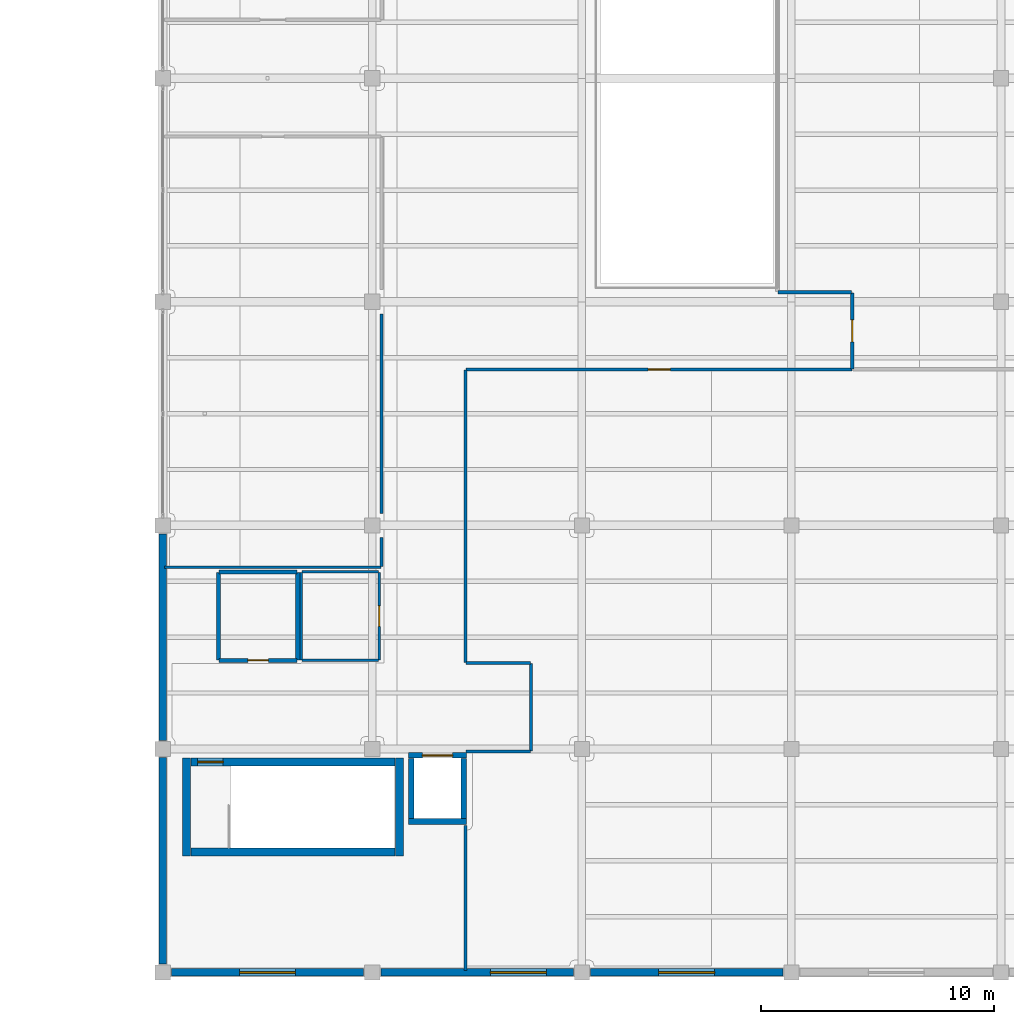
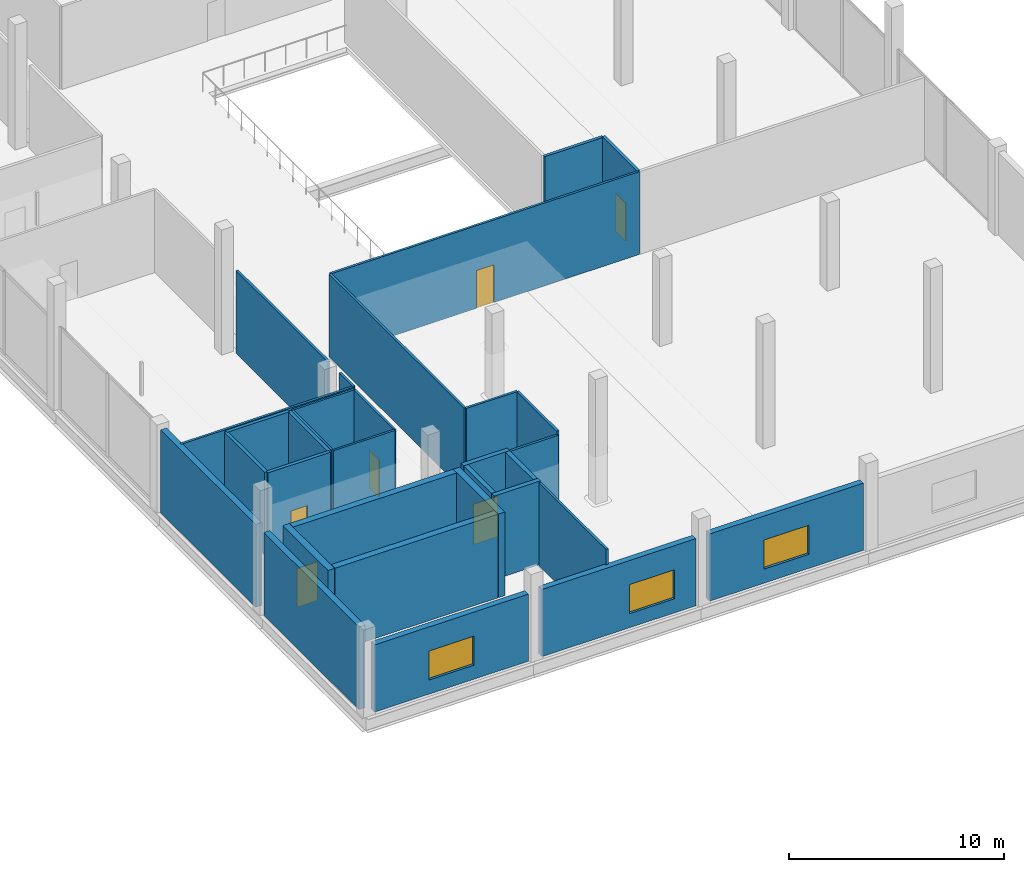
# One storey, part 31 of 43: 32 walls, 6 doors, 3 windows, 9 openings.
"""IFC4 building model written with IfcOpenShell, lengths in metres."""

from ifc_helpers import new_model, si_unit, direction, frame, frame_2d, origin, place, context, subcontext, project, spatial, rectangle, extrude, material, layer, layer_set, type_object, element, fill, save


model = new_model("IFC4")

# Units and contexts
model_context = context("Model", 3, precision=1e-05, world=origin(), true_north=direction((0.0, 1.0)))
body_context = subcontext(model_context, "Body", "Model", "MODEL_VIEW")
ifc_project = project(units=[si_unit("LENGTHUNIT", "METRE"), si_unit("AREAUNIT", "SQUARE_METRE"), si_unit("VOLUMEUNIT", "CUBIC_METRE"), si_unit("PLANEANGLEUNIT", "RADIAN"), si_unit("MASSUNIT", "GRAM", prefix="KILO")], contexts=[model_context])

# Site, building, storey
site_placement = place(None, origin())
site = spatial("IfcSite", under=ifc_project, at=site_placement, CompositionType="ELEMENT")
building_placement = place(site_placement, origin())
building = spatial("IfcBuilding", under=site, at=building_placement, Name="Qorvath Tower", CompositionType="ELEMENT")
storey_placement = place(building_placement, frame((0.0, 0.0, 22.0)))
storey = spatial("IfcBuildingStorey", under=building, at=storey_placement, Name="L04", CompositionType="ELEMENT", Elevation=22.0)

# Wall, opening, door
ifc_material_1 = material(Name="Gypsum shaftliner on steel studs", Category="steel")
ifc_layer_1 = layer(ifc_material_1, 0.179931640625)
ifc_layer_set_1 = layer_set([ifc_layer_1], Name="FW-LOBBY")
wall_type_1 = type_object("IfcWallType", Name="FW-LOBBY", PredefinedType="PARTITIONING", material=ifc_layer_set_1)
wall_1_placement = place(storey_placement, frame((34.824951171875, -25.0, 0.0), z_axis=(0.0, 0.0, 1.0), x_axis=(1.0, 0.0, 0.0)))
wall_1 = element("IfcWall", 1, at=wall_1_placement, inside=storey, type_object=wall_type_1, Name="Interior Partition IW-LB-L04-013", PredefinedType="PARTITIONING", context=body_context, shape_type="SweptSolid", body=[
    extrude(rectangle(XDim=3.35009765625, YDim=0.179931640625, at=frame_2d((1.675048828125, 0.0))), origin(), (0.0, 0.0, 1.0), 4.699951171875),
])
opening_1_placement = place(wall_1_placement, frame((1.235107421875, 0.0, 0.0)))
opening_1 = element("IfcOpeningElement", 2, at=opening_1_placement, cuts=wall_1, Name="Opening D-LB-L04-04", PredefinedType="OPENING", context=body_context, shape_type="SweptSolid", body=[
    extrude(rectangle(XDim=0.8798828125, YDim=2.10009765625, at=frame_2d((0.43994140625, 1.050048828125))), frame((0.0, 0.10009765625, 0.0), z_axis=(0.0, -1.0, 0.0), x_axis=(1.0, 0.0, 0.0)), (0.0, 0.0, 1.0), 0.199951171875),
])
ifc_material_2 = material(Name="Painted galvanised hollow metal", Category="steel")
door_type_1 = type_object("IfcDoorType", Name="FD-60N", OperationType="NOTDEFINED", PredefinedType="DOOR", material=ifc_material_2)
door_1_placement = place(opening_1_placement, origin())
door_1 = element("IfcDoor", 3, at=door_1_placement, inside=storey, type_object=door_type_1, Name="Cleaner Custodial Closet L04 Door D-LB-L04-04", OperationType="SINGLE_SWING_RIGHT", OverallHeight=2.10009765625, OverallWidth=0.8798828125, PredefinedType="DOOR", context=body_context, shape_type="SweptSolid", body=[
    extrude(rectangle(XDim=0.8798828125, YDim=2.10009765625, at=frame_2d((0.43994140625, 1.050048828125))), frame((0.0, 0.02490234375, 0.0), z_axis=(0.0, -1.0, 0.0), x_axis=(1.0, 0.0, 0.0)), (0.0, 0.0, 1.0), 0.050048828125),
])
fill(opening_1, door_1)

# Walls
wall_2_placement = place(storey_placement, frame((38.199951171875, -24.97509765625, 0.0), z_axis=(0.0, 0.0, 1.0), x_axis=(0.0, 1.0, 0.0)))
element("IfcWall", 4, at=wall_2_placement, inside=storey, type_object=wall_type_1, Name="Interior Partition IW-LB-L04-014", PredefinedType="PARTITIONING", context=body_context, shape_type="SweptSolid", body=[
    extrude(rectangle(XDim=3.75, YDim=0.179931640625, at=frame_2d((1.875, 0.0))), origin(), (0.0, 0.0, 1.0), 4.699951171875),
])
wall_3_placement = place(storey_placement, frame((38.175048828125, -21.199951171875, 0.0), z_axis=(0.0, 0.0, 1.0), x_axis=(-1.0, 0.0, 0.0)))
element("IfcWall", 5, at=wall_3_placement, inside=storey, type_object=wall_type_1, Name="Interior Partition IW-LB-L04-015", PredefinedType="PARTITIONING", context=body_context, shape_type="SweptSolid", body=[
    extrude(rectangle(XDim=3.35009765625, YDim=0.179931640625, at=frame_2d((1.675048828125, 0.0))), origin(), (0.0, 0.0, 1.0), 4.699951171875),
])
wall_4_placement = place(storey_placement, frame((34.800048828125, -21.22509765625, 0.0), z_axis=(0.0, 0.0, 1.0), x_axis=(0.0, -1.0, 0.0)))
element("IfcWall", 6, at=wall_4_placement, inside=storey, type_object=wall_type_1, Name="Interior Partition IW-LB-L04-016", PredefinedType="PARTITIONING", context=body_context, shape_type="SweptSolid", body=[
    extrude(rectangle(XDim=3.75, YDim=0.179931640625, at=frame_2d((1.875, 0.0))), origin(), (0.0, 0.0, 1.0), 4.699951171875),
])

# Wall, opening, door
ifc_material_3 = material(Name="Double acoustic gypsum board on steel studs", Category="steel")
ifc_layer_2 = layer(ifc_material_3, 0.159912109375)
ifc_layer_set_2 = layer_set([ifc_layer_2], Name="IW-ACOUSTIC-160")
wall_type_2 = type_object("IfcWallType", Name="IW-ACOUSTIC-160", PredefinedType="PARTITIONING", material=ifc_layer_set_2)
wall_5_placement = place(storey_placement, frame((62.008056640625, -9.216796875, 0.0), z_axis=(0.0, 0.0, 1.0), x_axis=(0.0, -1.0, 0.0)))
wall_5 = element("IfcWall", 7, at=wall_5_placement, inside=storey, type_object=wall_type_2, Name="Interior Partition IW-LB-L04-017", PredefinedType="PARTITIONING", context=body_context, shape_type="SweptSolid", body=[
    extrude(rectangle(XDim=3.25830078125, YDim=0.159912109375, at=frame_2d((1.629150390625, 0.0))), origin(), (0.0, 0.0, 1.0), 4.699951171875),
])
opening_2_placement = place(wall_5_placement, frame((1.154052734375, 0.0, 0.0)))
opening_2 = element("IfcOpeningElement", 8, at=opening_2_placement, cuts=wall_5, Name="Opening D-LB-L04-05", PredefinedType="OPENING", context=body_context, shape_type="SweptSolid", body=[
    extrude(rectangle(XDim=0.949951171875, YDim=2.14990234375, at=frame_2d((0.47509765625, 1.074951171875))), frame((0.0, 0.08984375, 0.0), z_axis=(0.0, -1.0, 0.0), x_axis=(1.0, 0.0, 0.0)), (0.0, 0.0, 1.0), 0.179931640625),
])
ifc_material_4 = material(Name="Solid-core American white oak veneer", Category="wood")
door_type_2 = type_object("IfcDoorType", Name="D-01", OperationType="NOTDEFINED", PredefinedType="DOOR", material=ifc_material_4)
door_2_placement = place(opening_2_placement, origin())
door_2 = element("IfcDoor", 9, at=door_2_placement, inside=storey, type_object=door_type_2, Name="L-L04-GRH-E Main Civic Reading Hall Door D-LB-L04-05", OperationType="SINGLE_SWING_LEFT", OverallHeight=2.14990234375, OverallWidth=0.949951171875, PredefinedType="DOOR", context=body_context, shape_type="SweptSolid", body=[
    extrude(rectangle(XDim=0.949951171875, YDim=2.14990234375, at=frame_2d((0.47509765625, 1.074951171875))), frame((0.0, 0.02490234375, 0.0), z_axis=(0.0, -1.0, 0.0), x_axis=(1.0, 0.0, 0.0)), (0.0, 0.0, 1.0), 0.050048828125),
])
fill(opening_2, door_2)

# Wall
wall_6_placement = place(storey_placement, frame((58.824951171875, -9.19189453125, 0.0), z_axis=(0.0, 0.0, 1.0), x_axis=(1.0, 0.0, 0.0)))
element("IfcWall", 10, at=wall_6_placement, inside=storey, type_object=wall_type_2, Name="Interior Partition IW-LB-L04-023", PredefinedType="PARTITIONING", context=body_context, shape_type="SweptSolid", body=[
    extrude(rectangle(XDim=3.158203125, YDim=0.159912109375, at=frame_2d((1.5791015625, 0.0))), origin(), (0.0, 0.0, 1.0), 4.66357421875),
])

# Wall, opening, door
ifc_material_5 = material(Name="Gypsum board on metal studs with mineral wool", Category="gypsum")
ifc_layer_3 = layer(ifc_material_5, 0.125)
ifc_layer_set_3 = layer_set([ifc_layer_3], Name="IW-PART-125")
wall_type_3 = type_object("IfcWallType", Name="IW-PART-125", PredefinedType="PARTITIONING", material=ifc_layer_set_3)
wall_7_placement = place(storey_placement, frame((62.00830078125, -12.508056640625, 0.0), z_axis=(0.0, 0.0, 1.0), x_axis=(-1.0, 0.0, 0.0)))
wall_7 = element("IfcWall", 11, at=wall_7_placement, inside=storey, type_object=wall_type_3, Name="Interior Partition IW-LB-L04-030", PredefinedType="PARTITIONING", context=body_context, shape_type="SweptSolid", body=[
    extrude(rectangle(XDim=16.5751953125, YDim=0.125, at=frame_2d((8.28759765625, 0.0))), origin(), (0.0, 0.0, 1.0), 4.699951171875),
])
opening_3_placement = place(wall_7_placement, frame((7.8125, 0.0, 0.0)))
opening_3 = element("IfcOpeningElement", 12, at=opening_3_placement, cuts=wall_7, Name="Opening D-LB-L04-07", PredefinedType="OPENING", context=body_context, shape_type="SweptSolid", body=[
    extrude(rectangle(XDim=0.949951171875, YDim=2.14990234375, at=frame_2d((0.47509765625, 1.074951171875))), frame((0.0, 0.072509765625, 0.0), z_axis=(0.0, -1.0, 0.0), x_axis=(1.0, 0.0, 0.0)), (0.0, 0.0, 1.0), 0.14501953125),
])
door_3_placement = place(opening_3_placement, origin())
door_3 = element("IfcDoor", 13, at=door_3_placement, inside=storey, type_object=door_type_2, Name="L-L04-GRH-S South Special Collections Reading Room Door D-LB-L04-07", OperationType="SINGLE_SWING_LEFT", OverallHeight=2.14990234375, OverallWidth=0.949951171875, PredefinedType="DOOR", context=body_context, shape_type="SweptSolid", body=[
    extrude(rectangle(XDim=0.949951171875, YDim=2.14990234375, at=frame_2d((0.47509765625, 1.074951171875))), frame((0.0, 0.02490234375, 0.0), z_axis=(0.0, -1.0, 0.0), x_axis=(1.0, 0.0, 0.0)), (0.0, 0.0, 1.0), 0.050048828125),
])
fill(opening_3, door_3)

# Walls
wall_8_placement = place(storey_placement, frame((45.407958984375, -12.533203125, 0.0), z_axis=(0.0, 0.0, 1.0), x_axis=(0.0, -1.0, 0.0)))
element("IfcWall", 14, at=wall_8_placement, inside=storey, type_object=wall_type_3, Name="Interior Partition IW-LB-L04-031", PredefinedType="PARTITIONING", context=body_context, shape_type="SweptSolid", body=[
    extrude(rectangle(XDim=12.553955078125, YDim=0.125, at=frame_2d((6.27685546875, 0.0))), origin(), (0.0, 0.0, 1.0), 4.699951171875),
])
wall_9_placement = place(storey_placement, frame((48.18310546875, -25.112060546875, 0.0), z_axis=(0.0, 0.0, 1.0), x_axis=(-1.0, 0.0, 0.0)))
element("IfcWall", 15, at=wall_9_placement, inside=storey, type_object=wall_type_3, Name="Interior Partition IW-LB-L04-032", PredefinedType="PARTITIONING", context=body_context, shape_type="SweptSolid", body=[
    extrude(rectangle(XDim=2.75, YDim=0.125, at=frame_2d((1.375, 0.0))), origin(), (0.0, 0.0, 1.0), 4.699951171875),
])
wall_10_placement = place(storey_placement, frame((48.2080078125, -25.13720703125, 0.0), z_axis=(0.0, 0.0, 1.0), x_axis=(0.0, -1.0, 0.0)))
element("IfcWall", 16, at=wall_10_placement, inside=storey, type_object=wall_type_3, Name="Interior Partition IW-LB-L04-033", PredefinedType="PARTITIONING", context=body_context, shape_type="SweptSolid", body=[
    extrude(rectangle(XDim=3.745849609375, YDim=0.125, at=frame_2d((1.873046875, 0.0))), origin(), (0.0, 0.0, 1.0), 4.699951171875),
])
wall_11_placement = place(storey_placement, frame((45.4248046875, -28.907958984375, 0.0), z_axis=(0.0, 0.0, 1.0), x_axis=(1.0, 0.0, 0.0)))
element("IfcWall", 17, at=wall_11_placement, inside=storey, type_object=wall_type_3, Name="Interior Partition IW-LB-L04-034", PredefinedType="PARTITIONING", context=body_context, shape_type="SweptSolid", body=[
    extrude(rectangle(XDim=2.75830078125, YDim=0.125, at=frame_2d((1.379150390625, 0.0))), origin(), (0.0, 0.0, 1.0), 4.512939453125),
])
wall_12_placement = place(storey_placement, frame((45.39990234375, -32.0849609375, 0.0), z_axis=(0.0, 0.0, 1.0), x_axis=(0.0, -1.0, 0.0)))
element("IfcWall", 18, at=wall_12_placement, inside=storey, type_object=wall_type_3, Name="Interior Partition IW-LB-L04-035", PredefinedType="PARTITIONING", context=body_context, shape_type="SweptSolid", body=[
    extrude(rectangle(XDim=6.235107421875, YDim=0.125, at=frame_2d((3.11767578125, 0.0))), origin(), (0.0, 0.0, 1.0), 4.699951171875),
])
wall_13_placement = place(storey_placement, frame((32.47998046875, -21.0, 0.0), z_axis=(0.0, 0.0, 1.0), x_axis=(1.0, 0.0, 0.0)))
element("IfcWall", 19, at=wall_13_placement, inside=storey, type_object=wall_type_3, Name="Interior Partition IW-LB-L04-041", PredefinedType="PARTITIONING", context=body_context, shape_type="SweptSolid", body=[
    extrude(rectangle(XDim=9.294921875, YDim=0.125, at=frame_2d((4.6474609375, 0.0))), origin(), (0.0, 0.0, 1.0), 4.699951171875),
])
wall_14_placement = place(storey_placement, frame((41.800048828125, -20.97509765625, 0.0), z_axis=(0.0, 0.0, 1.0), x_axis=(0.0, 1.0, 0.0)))
element("IfcWall", 20, at=wall_14_placement, inside=storey, type_object=wall_type_3, Name="Interior Partition IW-LB-L04-042", PredefinedType="PARTITIONING", context=body_context, shape_type="SweptSolid", body=[
    extrude(rectangle(XDim=1.25634765625, YDim=0.125, at=frame_2d((0.628173828125, 0.0))), origin(), (0.0, 0.0, 1.0), 4.699951171875),
])
wall_15_placement = place(storey_placement, frame((41.800048828125, -18.68115234375, 0.0), z_axis=(0.0, 0.0, 1.0), x_axis=(0.0, 1.0, 0.0)))
element("IfcWall", 21, at=wall_15_placement, inside=storey, type_object=wall_type_3, Name="Interior Partition IW-LB-L04-043", PredefinedType="PARTITIONING", context=body_context, shape_type="SweptSolid", body=[
    extrude(rectangle(XDim=8.562255859375, YDim=0.125, at=frame_2d((4.28125, 0.0))), origin(), (0.0, 0.0, 1.0), 4.699951171875),
])
ifc_material_6 = material(Name="Moisture-resistant cement board on metal studs", Category="gypsum")
ifc_layer_4 = layer(ifc_material_6, 0.110107421875)
ifc_layer_set_4 = layer_set([ifc_layer_4], Name="IW-WC-110")
wall_type_4 = type_object("IfcWallType", Name="IW-WC-110", PredefinedType="PARTITIONING", material=ifc_layer_set_4)
wall_16_placement = place(storey_placement, frame((38.375, -25.0, 0.0), z_axis=(0.0, 0.0, 1.0), x_axis=(1.0, 0.0, 0.0)))
element("IfcWall", 22, at=wall_16_placement, inside=storey, type_object=wall_type_4, Name="Interior Partition IW-LB-L04-009", PredefinedType="PARTITIONING", context=body_context, shape_type="SweptSolid", body=[
    extrude(rectangle(XDim=3.300048828125, YDim=0.110107421875, at=frame_2d((1.64990234375, 0.0))), origin(), (0.0, 0.0, 1.0), 4.699951171875),
])

# Wall, opening, door
wall_17_placement = place(storey_placement, frame((41.699951171875, -24.97509765625, 0.0), z_axis=(0.0, 0.0, 1.0), x_axis=(0.0, 1.0, 0.0)))
wall_17 = element("IfcWall", 23, at=wall_17_placement, inside=storey, type_object=wall_type_4, Name="Interior Partition IW-LB-L04-010", PredefinedType="PARTITIONING", context=body_context, shape_type="SweptSolid", body=[
    extrude(rectangle(XDim=3.75, YDim=0.110107421875, at=frame_2d((1.875, 0.0))), origin(), (0.0, 0.0, 1.0), 4.699951171875),
])
opening_4_placement = place(wall_17_placement, frame((1.43505859375, 0.0, 0.0)))
opening_4 = element("IfcOpeningElement", 24, at=opening_4_placement, cuts=wall_17, Name="Opening D-LB-L04-03", PredefinedType="OPENING", context=body_context, shape_type="SweptSolid", body=[
    extrude(rectangle(XDim=0.8798828125, YDim=2.10009765625, at=frame_2d((0.43994140625, 1.050048828125))), frame((0.0, 0.06494140625, 0.0), z_axis=(0.0, -1.0, 0.0), x_axis=(1.0, 0.0, 0.0)), (0.0, 0.0, 1.0), 0.130126953125),
])
ifc_material_7 = material(Name="Solid-core oak with acoustic drop seal", Category="wood")
door_type_3 = type_object("IfcDoorType", Name="D-02", OperationType="NOTDEFINED", PredefinedType="DOOR", material=ifc_material_7)
door_4_placement = place(opening_4_placement, origin())
door_4 = element("IfcDoor", 25, at=door_4_placement, inside=storey, type_object=door_type_3, Name="Accessible WC East Wing L04 Door D-LB-L04-03", OperationType="SINGLE_SWING_LEFT", OverallHeight=2.10009765625, OverallWidth=0.8798828125, PredefinedType="DOOR", context=body_context, shape_type="SweptSolid", body=[
    extrude(rectangle(XDim=0.8798828125, YDim=2.10009765625, at=frame_2d((0.43994140625, 1.050048828125))), frame((0.0, 0.02490234375, 0.0), z_axis=(0.0, -1.0, 0.0), x_axis=(1.0, 0.0, 0.0)), (0.0, 0.0, 1.0), 0.050048828125),
])
fill(opening_4, door_4)

# Walls
wall_18_placement = place(storey_placement, frame((41.675048828125, -21.199951171875, 0.0), z_axis=(0.0, 0.0, 1.0), x_axis=(-1.0, 0.0, 0.0)))
element("IfcWall", 26, at=wall_18_placement, inside=storey, type_object=wall_type_4, Name="Interior Partition IW-LB-L04-011", PredefinedType="PARTITIONING", context=body_context, shape_type="SweptSolid", body=[
    extrude(rectangle(XDim=3.300048828125, YDim=0.110107421875, at=frame_2d((1.64990234375, 0.0))), origin(), (0.0, 0.0, 1.0), 4.699951171875),
])
wall_19_placement = place(storey_placement, frame((38.35009765625, -21.22509765625, 0.0), z_axis=(0.0, 0.0, 1.0), x_axis=(0.0, -1.0, 0.0)))
element("IfcWall", 27, at=wall_19_placement, inside=storey, type_object=wall_type_4, Name="Interior Partition IW-LB-L04-012", PredefinedType="PARTITIONING", context=body_context, shape_type="SweptSolid", body=[
    extrude(rectangle(XDim=3.75, YDim=0.110107421875, at=frame_2d((1.875, 0.0))), origin(), (0.0, 0.0, 1.0), 4.699951171875),
])
ifc_material_8 = material(Name="Concrete C60/75", Category="concrete")
ifc_layer_5 = layer(ifc_material_8, 0.260009765625)
ifc_layer_set_5 = layer_set([ifc_layer_5], Name="SW-SHAFT")
wall_type_5 = type_object("IfcWallType", Name="SW-SHAFT", PredefinedType="SHEAR", material=ifc_layer_set_5)
wall_20_placement = place(storey_placement, frame((45.43994140625, -31.919921875, 0.0), z_axis=(0.0, 0.0, 1.0), x_axis=(-1.0, 0.0, 0.0)))
element("IfcWall", 28, at=wall_20_placement, inside=storey, type_object=wall_type_5, Name="Hoistway Wall LGL-1 L04 S", PredefinedType="SHEAR", context=body_context, shape_type="SweptSolid", body=[
    extrude(rectangle(XDim=2.47998046875, YDim=0.239990234375, at=frame_2d((1.239990234375, 0.0))), origin(), (0.0, 0.0, 1.0), 4.75),
])

# Wall, opening, door
wall_21_placement = place(storey_placement, frame((42.9599609375, -29.080078125, 0.0), z_axis=(0.0, 0.0, 1.0), x_axis=(1.0, 0.0, 0.0)))
wall_21 = element("IfcWall", 29, at=wall_21_placement, inside=storey, type_object=wall_type_5, Name="Hoistway Wall LGL-1 L04 N", PredefinedType="SHEAR", context=body_context, shape_type="SweptSolid", body=[
    extrude(rectangle(XDim=2.47998046875, YDim=0.239990234375, at=frame_2d((1.239990234375, 0.0))), origin(), (0.0, 0.0, 1.0), 4.75),
])
opening_5_placement = place(wall_21_placement, frame((0.590087890625, 0.0, 0.0)))
opening_5 = element("IfcOpeningElement", 30, at=opening_5_placement, cuts=wall_21, Name="Opening LD-LGL-1-L04", PredefinedType="OPENING", context=body_context, shape_type="SweptSolid", body=[
    extrude(rectangle(XDim=1.300048828125, YDim=2.300048828125, at=frame_2d((0.64990234375, 1.14990234375))), frame((0.0, 0.1298828125, 0.0), z_axis=(0.0, -1.0, 0.0), x_axis=(1.0, 0.0, 0.0)), (0.0, 0.0, 1.0), 0.260009765625),
])
ifc_material_9 = material(Name="Brushed stainless steel AISI 316", Category="steel")
door_type_4 = type_object("IfcDoorType", Name="LD-02", OperationType="NOTDEFINED", PredefinedType="DOOR", material=ifc_material_9)
door_5_placement = place(opening_5_placement, origin())
door_5 = element("IfcDoor", 31, at=door_5_placement, inside=storey, type_object=door_type_4, Name="Elevator Landing Sliding Door LD-LGL-1-L04", OperationType="DOUBLE_DOOR_SLIDING", OverallHeight=2.300048828125, OverallWidth=1.300048828125, PredefinedType="DOOR", context=body_context, shape_type="SweptSolid", body=[
    extrude(rectangle(XDim=1.300048828125, YDim=2.300048828125, at=frame_2d((0.64990234375, 1.14990234375))), frame((0.0, 0.02490234375, 0.0), z_axis=(0.0, -1.0, 0.0), x_axis=(1.0, 0.0, 0.0)), (0.0, 0.0, 1.0), 0.050048828125),
])
fill(opening_5, door_5)

# Walls
for number, where, z_axis, x_axis, name in (
    (32, (43.080078125, -31.7880859375, 0.0), (0.0, 0.0, 1.0), (0.0, 1.0, 0.0), "Hoistway Wall LGL-1 L04 W"),
    (33, (45.320068359375, -29.2119140625, 0.0), (0.0, 0.0, 1.0), (0.0, -1.0, 0.0), "Hoistway Wall LGL-1 L04 E"),
):
    element("IfcWall", number, at=place(storey_placement, frame(where, z_axis=z_axis, x_axis=x_axis)), inside=storey, type_object=wall_type_5, Name=name, PredefinedType="SHEAR", context=body_context, shape_type="SweptSolid", body=[
        extrude(rectangle(XDim=2.576171875, YDim=0.239990234375, at=frame_2d((1.2880859375, 0.0))), origin(), (0.0, 0.0, 1.0), 4.75),
    ])
ifc_material_10 = material(Name="Concrete C60/75", Category="concrete")
ifc_layer_6 = layer(ifc_material_10, 0.35009765625)
ifc_layer_set_6 = layer_set([ifc_layer_6], Name="SW-STAIR")
wall_type_6 = type_object("IfcWallType", Name="SW-STAIR", PredefinedType="SHEAR", material=ifc_layer_set_6)
for number, where, z_axis, x_axis, name in (
    (34, (33.425048828125, -29.18994140625, 0.0), (0.0, 0.0, 1.0), (0.0, -1.0, 0.0), "Stair LS2 Shear Wall L04 NEAR"),
    (35, (42.574951171875, -33.39990234375, 0.0), (0.0, 0.0, 1.0), (0.0, 1.0, 0.0), "Stair LS2 Shear Wall L04 FAR"),
):
    element("IfcWall", number, at=place(storey_placement, frame(where, z_axis=z_axis, x_axis=x_axis)), inside=storey, type_object=wall_type_6, Name=name, PredefinedType="SHEAR", context=body_context, shape_type="SweptSolid", body=[
        extrude(rectangle(XDim=4.2099609375, YDim=0.35009765625, at=frame_2d((2.10498046875, 0.0))), origin(), (0.0, 0.0, 1.0), 4.75),
    ])
wall_22_placement = place(storey_placement, frame((33.614990234375, -33.22509765625, 0.0), z_axis=(0.0, 0.0, 1.0), x_axis=(1.0, 0.0, 0.0)))
element("IfcWall", 36, at=wall_22_placement, inside=storey, type_object=wall_type_6, Name="Stair LS2 Shear Wall L04 LEFT", PredefinedType="SHEAR", context=body_context, shape_type="SweptSolid", body=[
    extrude(rectangle(XDim=8.77001953125, YDim=0.35009765625, at=frame_2d((4.385009765625, 0.0))), origin(), (0.0, 0.0, 1.0), 4.75),
])

# Wall, opening, door
wall_23_placement = place(storey_placement, frame((42.385009765625, -29.364990234375, 0.0), z_axis=(0.0, 0.0, 1.0), x_axis=(-1.0, 0.0, 0.0)))
wall_23 = element("IfcWall", 37, at=wall_23_placement, inside=storey, type_object=wall_type_6, Name="Stair LS2 Shear Wall L04 RIGHT", PredefinedType="SHEAR", context=body_context, shape_type="SweptSolid", body=[
    extrude(rectangle(XDim=8.77001953125, YDim=0.35009765625, at=frame_2d((4.385009765625, 0.0))), origin(), (0.0, 0.0, 1.0), 4.75),
])
opening_6_placement = place(wall_23_placement, frame((7.389892578125, 0.0, 0.0)))
opening_6 = element("IfcOpeningElement", 38, at=opening_6_placement, cuts=wall_23, Name="Opening D-LS2-L04", PredefinedType="OPENING", context=body_context, shape_type="SweptSolid", body=[
    extrude(rectangle(XDim=1.10009765625, YDim=2.199951171875, at=frame_2d((0.550048828125, 1.10009765625))), frame((0.0, 0.18505859375, 0.0), z_axis=(0.0, -1.0, 0.0), x_axis=(1.0, 0.0, 0.0)), (0.0, 0.0, 1.0), 0.3701171875),
])
ifc_material_11 = material(Name="Painted galvanised hollow metal", Category="steel")
door_type_5 = type_object("IfcDoorType", Name="FD-90", OperationType="NOTDEFINED", PredefinedType="DOOR", material=ifc_material_11)
door_6_placement = place(opening_6_placement, origin())
door_6 = element("IfcDoor", 39, at=door_6_placement, inside=storey, type_object=door_type_5, Name="Stair LS2 Fire Door L04", OperationType="SINGLE_SWING_LEFT", OverallHeight=2.199951171875, OverallWidth=1.10009765625, PredefinedType="DOOR", context=body_context, shape_type="SweptSolid", body=[
    extrude(rectangle(XDim=1.10009765625, YDim=2.199951171875, at=frame_2d((0.550048828125, 1.10009765625))), frame((0.0, 0.02490234375, 0.0), z_axis=(0.0, -1.0, 0.0), x_axis=(1.0, 0.0, 0.0)), (0.0, 0.0, 1.0), 0.050048828125),
])
fill(opening_6, door_6)

# Walls
ifc_material_12 = material(Name="Precast concrete C45/55", Category="concrete")
ifc_layer_7 = layer(ifc_material_12, 0.320068359375)
ifc_layer_set_7 = layer_set([ifc_layer_7], Name="WL-EW-LIB-320")
wall_type_7 = type_object("IfcWallType", Name="WL-EW-LIB-320", PredefinedType="SOLIDWALL", material=ifc_layer_set_7)
wall_24_placement = place(storey_placement, frame((32.39990234375, -38.030029296875, 0.0), z_axis=(0.0, 0.0, 1.0), x_axis=(0.0, 1.0, 0.0)))
element("IfcWall", 40, at=wall_24_placement, inside=storey, type_object=wall_type_7, Name="Library West Precast Facade Wall L04-1", PredefinedType="SOLIDWALL", context=body_context, shape_type="SweptSolid", body=[
    extrude(rectangle(XDim=8.860107421875, YDim=0.320068359375, at=frame_2d((4.43017578125, 0.0))), origin(), (0.0, 0.0, 1.0), 4.699951171875),
])
wall_25_placement = place(storey_placement, frame((32.39990234375, -28.429931640625, 0.0), z_axis=(0.0, 0.0, 1.0), x_axis=(0.0, 1.0, 0.0)))
element("IfcWall", 41, at=wall_25_placement, inside=storey, type_object=wall_type_7, Name="Library West Precast Facade Wall L04-2", PredefinedType="SOLIDWALL", context=body_context, shape_type="SweptSolid", body=[
    extrude(rectangle(XDim=8.85986328125, YDim=0.320068359375, at=frame_2d((4.429931640625, 0.0))), origin(), (0.0, 0.0, 1.0), 4.699951171875),
])

# Wall, opening, window
wall_26_placement = place(storey_placement, frame((41.030029296875, -38.39990234375, 0.0), z_axis=(0.0, 0.0, 1.0), x_axis=(-1.0, 0.0, 0.0)))
wall_26 = element("IfcWall", 42, at=wall_26_placement, inside=storey, type_object=wall_type_7, Name="Library S Precast Wall L04-1", PredefinedType="SOLIDWALL", context=body_context, shape_type="SweptSolid", body=[
    extrude(rectangle(XDim=8.260009765625, YDim=0.320068359375, at=frame_2d((4.1298828125, 0.0))), origin(), (0.0, 0.0, 1.0), 3.81494140625),
])
opening_7_placement = place(wall_26_placement, frame((2.929931640625, 0.0, 0.800048828125)))
opening_7 = element("IfcOpeningElement", 43, at=opening_7_placement, cuts=wall_26, Name="Opening WN-L-134", PredefinedType="OPENING", context=body_context, shape_type="SweptSolid", body=[
    extrude(rectangle(XDim=2.39990234375, YDim=1.64990234375, at=frame_2d((1.199951171875, 0.824951171875))), frame((0.0, 0.169921875, 0.0), z_axis=(0.0, -1.0, 0.0), x_axis=(1.0, 0.0, 0.0)), (0.0, 0.0, 1.0), 0.340087890625),
])
ifc_material_13 = material(Name="Thermally broken aluminium and triple low-E glass", Category="aluminium")
window_type = type_object("IfcWindowType", Name="WN-2", PartitioningType="SINGLE_PANEL", PredefinedType="WINDOW", material=ifc_material_13)
window_1_placement = place(opening_7_placement, origin())
window_1 = element("IfcWindow", 44, at=window_1_placement, inside=storey, type_object=window_type, Name="Library Reading Punched Window 134", OverallHeight=1.64990234375, OverallWidth=2.39990234375, PartitioningType="SINGLE_PANEL", PredefinedType="WINDOW", context=body_context, shape_type="SweptSolid", body=[
    extrude(rectangle(XDim=2.39990234375, YDim=1.64990234375, at=frame_2d((1.199951171875, 0.824951171875))), frame((0.0, 0.030029296875, 0.0), z_axis=(0.0, -1.0, 0.0), x_axis=(1.0, 0.0, 0.0)), (0.0, 0.0, 1.0), 0.06005859375),
])
fill(opening_7, window_1)

wall_27_placement = place(storey_placement, frame((50.030029296875, -38.39990234375, 0.0), z_axis=(0.0, 0.0, 1.0), x_axis=(-1.0, 0.0, 0.0)))
wall_27 = element("IfcWall", 45, at=wall_27_placement, inside=storey, type_object=wall_type_7, Name="Library S Precast Wall L04-2", PredefinedType="SOLIDWALL", context=body_context, shape_type="SweptSolid", body=[
    extrude(rectangle(XDim=8.260009765625, YDim=0.320068359375, at=frame_2d((4.1298828125, 0.0))), origin(), (0.0, 0.0, 1.0), 3.81494140625),
])
opening_8_placement = place(wall_27_placement, frame((1.159912109375, 0.0, 0.800048828125)))
opening_8 = element("IfcOpeningElement", 46, at=opening_8_placement, cuts=wall_27, Name="Opening WN-L-135", PredefinedType="OPENING", context=body_context, shape_type="SweptSolid", body=[
    extrude(rectangle(XDim=2.39990234375, YDim=1.64990234375, at=frame_2d((1.199951171875, 0.824951171875))), frame((0.0, 0.169921875, 0.0), z_axis=(0.0, -1.0, 0.0), x_axis=(1.0, 0.0, 0.0)), (0.0, 0.0, 1.0), 0.340087890625),
])
window_2_placement = place(opening_8_placement, origin())
window_2 = element("IfcWindow", 47, at=window_2_placement, inside=storey, type_object=window_type, Name="Library Reading Punched Window 135", OverallHeight=1.64990234375, OverallWidth=2.39990234375, PartitioningType="SINGLE_PANEL", PredefinedType="WINDOW", context=body_context, shape_type="SweptSolid", body=[
    extrude(rectangle(XDim=2.39990234375, YDim=1.64990234375, at=frame_2d((1.199951171875, 0.824951171875))), frame((0.0, 0.030029296875, 0.0), z_axis=(0.0, -1.0, 0.0), x_axis=(1.0, 0.0, 0.0)), (0.0, 0.0, 1.0), 0.06005859375),
])
fill(opening_8, window_2)

wall_28_placement = place(storey_placement, frame((59.030029296875, -38.39990234375, 0.0), z_axis=(0.0, 0.0, 1.0), x_axis=(-1.0, 0.0, 0.0)))
wall_28 = element("IfcWall", 48, at=wall_28_placement, inside=storey, type_object=wall_type_7, Name="Library S Precast Wall L04-3", PredefinedType="SOLIDWALL", context=body_context, shape_type="SweptSolid", body=[
    extrude(rectangle(XDim=8.260009765625, YDim=0.320068359375, at=frame_2d((4.1298828125, 0.0))), origin(), (0.0, 0.0, 1.0), 3.81494140625),
])
opening_9_placement = place(wall_28_placement, frame((2.929931640625, 0.0, 0.800048828125)))
opening_9 = element("IfcOpeningElement", 49, at=opening_9_placement, cuts=wall_28, Name="Opening WN-L-136", PredefinedType="OPENING", context=body_context, shape_type="SweptSolid", body=[
    extrude(rectangle(XDim=2.39990234375, YDim=1.64990234375, at=frame_2d((1.199951171875, 0.824951171875))), frame((0.0, 0.169921875, 0.0), z_axis=(0.0, -1.0, 0.0), x_axis=(1.0, 0.0, 0.0)), (0.0, 0.0, 1.0), 0.340087890625),
])
window_3_placement = place(opening_9_placement, origin())
window_3 = element("IfcWindow", 50, at=window_3_placement, inside=storey, type_object=window_type, Name="Library Reading Punched Window 136", OverallHeight=1.64990234375, OverallWidth=2.39990234375, PartitioningType="SINGLE_PANEL", PredefinedType="WINDOW", context=body_context, shape_type="SweptSolid", body=[
    extrude(rectangle(XDim=2.39990234375, YDim=1.64990234375, at=frame_2d((1.199951171875, 0.824951171875))), frame((0.0, 0.030029296875, 0.0), z_axis=(0.0, -1.0, 0.0), x_axis=(1.0, 0.0, 0.0)), (0.0, 0.0, 1.0), 0.06005859375),
])
fill(opening_9, window_3)

save(model, "model.ifc")
